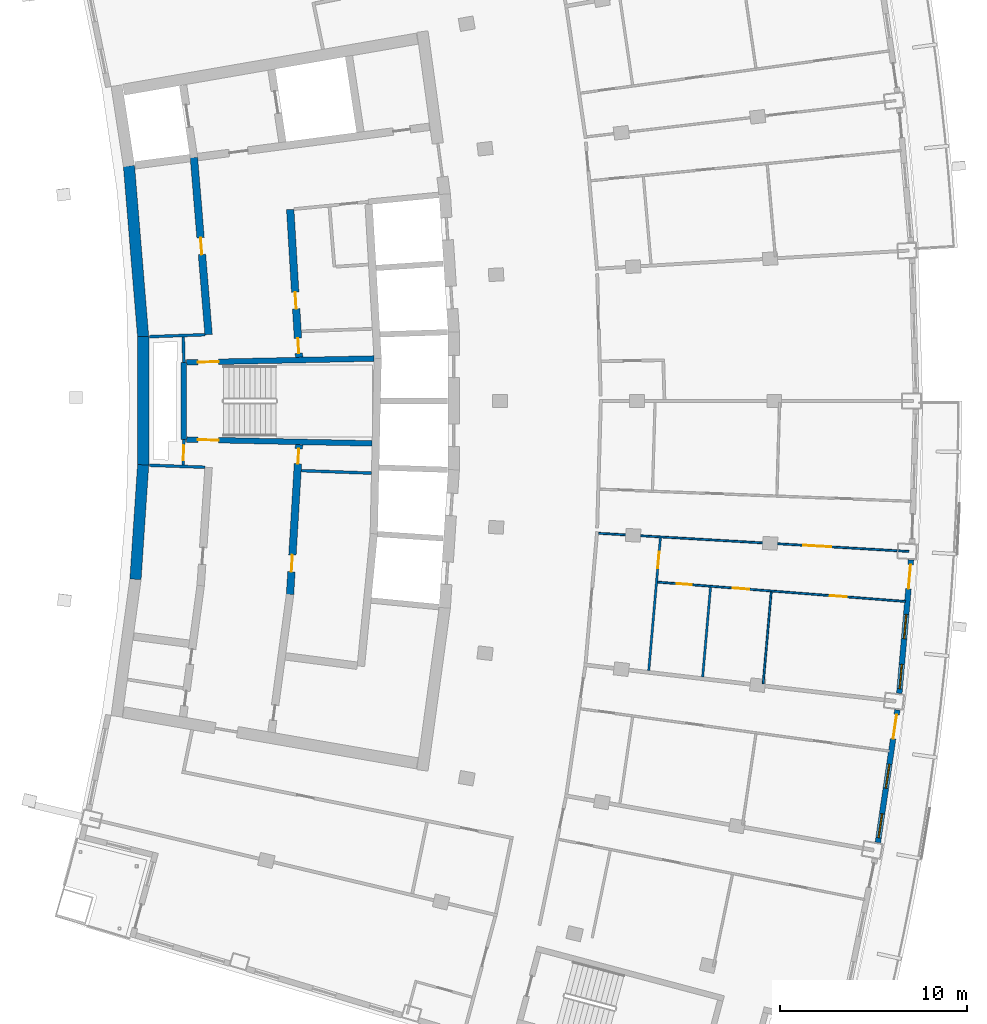
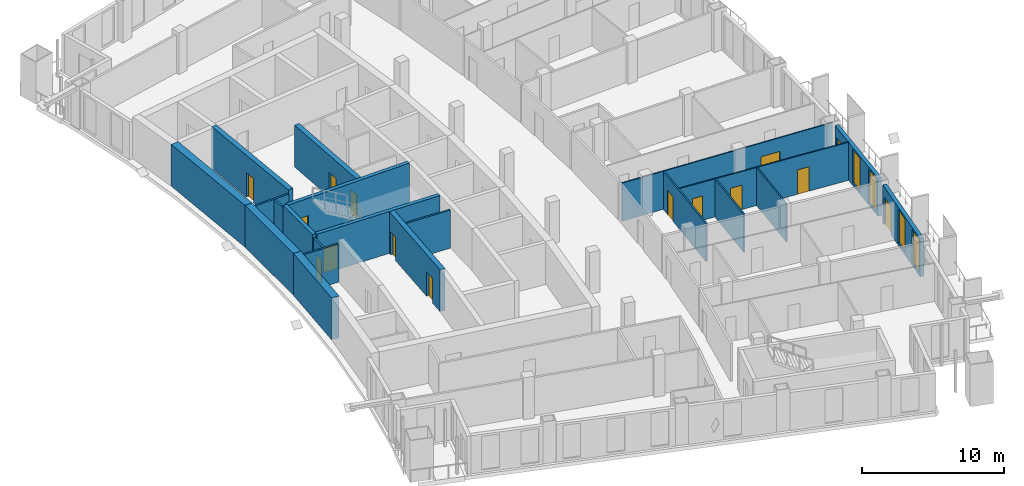
# One storey, part 11 of 17: 21 walls, 15 doors, 4 windows, 19 openings.
"""IFC4 building model written with IfcOpenShell, lengths in metres."""

from ifc_helpers import new_model, si_unit, direction, frame, frame_2d, origin, place, context, subcontext, project, spatial, rectangle, extrude, material, layer, layer_set, type_object, element, fill, save


model = new_model("IFC4")

# Units and contexts
model_context = context("Model", 3, precision=1e-05, world=origin(), true_north=direction((0.0, 1.0)))
body_context = subcontext(model_context, "Body", "Model", "MODEL_VIEW")
ifc_project = project(units=[si_unit("LENGTHUNIT", "METRE"), si_unit("AREAUNIT", "SQUARE_METRE"), si_unit("VOLUMEUNIT", "CUBIC_METRE"), si_unit("PLANEANGLEUNIT", "RADIAN"), si_unit("MASSUNIT", "GRAM", prefix="KILO")], contexts=[model_context])

# Site, building, storey
site_placement = place(None, origin())
site = spatial("IfcSite", under=ifc_project, at=site_placement, CompositionType="ELEMENT")
building_placement = place(site_placement, origin())
building = spatial("IfcBuilding", under=site, at=building_placement, Name="Alderwake Tower", CompositionType="ELEMENT")
storey_placement = place(building_placement, frame((0.0, 0.0, 218.0)))
storey = spatial("IfcBuildingStorey", under=building, at=storey_placement, Name="L54", CompositionType="ELEMENT", Elevation=218.0)

# Wall
ifc_material_1 = material(Name="Gypsum shaft wall system, rated")
ifc_layer_1 = layer(ifc_material_1, 0.14990234375)
ifc_layer_set_1 = layer_set([ifc_layer_1], Name="Core riser partition 150")
wall_type_1 = type_object("IfcWallType", Name="Core riser partition 150", PredefinedType="PARTITIONING", material=ifc_layer_set_1)
wall_1_placement = place(storey_placement, frame((25.1904296875, 57.276611328125, 0.0), z_axis=(0.0, 0.0, 1.0), x_axis=(0.99937350076, -0.035392173974, 0.0)))
element("IfcWall", 1, at=wall_1_placement, inside=storey, type_object=wall_type_1, Name="CW/L54/PR-37_+86", PredefinedType="PARTITIONING", context=body_context, shape_type="SweptSolid", body=[
    extrude(rectangle(XDim=3.752685546875, YDim=0.14990234375, at=frame_2d((1.87646484375, 0.0))), origin(), (0.0, 0.0, 1.0), 3.280029296875),
])

# Wall, opening, door
ifc_material_2 = material(Name="Gypsum shaft wall system, rated")
ifc_layer_2 = layer(ifc_material_2, 0.14990234375)
ifc_layer_set_2 = layer_set([ifc_layer_2], Name="Core room partition 150")
wall_type_2 = type_object("IfcWallType", Name="Core room partition 150", PredefinedType="PARTITIONING", material=ifc_layer_set_2)
wall_2_placement = place(storey_placement, frame((18.918701171875, 58.94384765625, 0.0), z_axis=(0.0, 0.0, 1.0), x_axis=(-0.027811602725, -0.999613182563, 0.0)))
wall_2 = element("IfcWall", 2, at=wall_2_placement, inside=storey, type_object=wall_type_2, Name="CW/L54/PA+24_-37", PredefinedType="PARTITIONING", context=body_context, shape_type="SweptSolid", body=[
    extrude(rectangle(XDim=1.369384765625, YDim=0.14990234375, at=frame_2d((0.6845703125, 0.0))), origin(), (0.0, 0.0, 1.0), 3.280029296875),
])
opening_1_placement = place(wall_2_placement, frame((0.322998046875, 0.0, 0.0)))
opening_1 = element("IfcOpeningElement", 3, at=opening_1_placement, cuts=wall_2, Name="Opening C004", PredefinedType="OPENING", context=body_context, shape_type="SweptSolid", body=[
    extrude(rectangle(XDim=0.800048828125, YDim=2.0, at=frame_2d((0.39990234375, 1.0))), frame((0.0, 0.0849609375, 0.0), z_axis=(0.0, -1.0, 0.0), x_axis=(1.0, 0.0, 0.0)), (0.0, 0.0, 1.0), 0.169921875),
])
ifc_material_3 = material(Name="Painted steel leaf, rated", Category="steel")
door_type_1 = type_object("IfcDoorType", Name="Riser access door 800", OperationType="SINGLE_SWING_LEFT", PredefinedType="DOOR", material=ifc_material_3)
door_1_placement = place(opening_1_placement, origin())
door_1 = element("IfcDoor", 4, at=door_1_placement, inside=storey, type_object=door_type_1, Name="Riser access door", OperationType="SINGLE_SWING_RIGHT", OverallHeight=2.0, OverallWidth=0.800048828125, PredefinedType="DOOR", context=body_context, shape_type="SweptSolid", body=[
    extrude(rectangle(XDim=0.800048828125, YDim=2.0, at=frame_2d((0.39990234375, 1.0))), frame((0.0, 0.02490234375, 0.0), z_axis=(0.0, -1.0, 0.0), x_axis=(1.0, 0.0, 0.0)), (0.0, 0.0, 1.0), 0.050048828125),
])
fill(opening_1, door_1)

# Walls
wall_3_placement = place(storey_placement, frame((18.918701171875, 63.05517578125, 0.0), z_axis=(0.0, 0.0, 1.0), x_axis=(-0.027791791559, 0.99961373356, 0.0)))
element("IfcWall", 5, at=wall_3_placement, inside=storey, type_object=wall_type_2, Name="CW/L54/PA+24_+22", PredefinedType="PARTITIONING", context=body_context, shape_type="SweptSolid", body=[
    extrude(rectangle(XDim=1.370361328125, YDim=0.14990234375, at=frame_2d((0.68505859375, 0.0))), origin(), (0.0, 0.0, 1.0), 3.280029296875),
])
for number, where, z_axis, x_axis, name in (
    (6, (17.0693359375, 57.56396484375, 0.0), (0.0, 0.0, 1.0), (0.999374945052, -0.03535136775, 0.0), "CW/L54/PR-37_+0"),
    (7, (17.0693359375, 64.43603515625, 0.0), (0.0, 0.0, 1.0), (0.999374945052, 0.03535136775, 0.0), "CW/L54/PR+37_+0"),
):
    element("IfcWall", number, at=place(storey_placement, frame(where, z_axis=z_axis, x_axis=x_axis)), inside=storey, type_object=wall_type_2, Name=name, PredefinedType="PARTITIONING", context=body_context, shape_type="SweptSolid", body=[
        extrude(rectangle(XDim=2.9697265625, YDim=0.14990234375, at=frame_2d((1.48486328125, 0.0))), origin(), (0.0, 0.0, 1.0), 3.280029296875),
    ])
ifc_material_4 = material(Name="Concrete C70/85", Category="concrete")
ifc_layer_3 = layer(ifc_material_4, 0.60009765625)
ifc_layer_set_3 = layer_set([ifc_layer_3], Name="Core wall outer 600 C70-85")
wall_type_3 = type_object("IfcWallType", Name="Core wall outer 600 C70-85", PredefinedType="SHEAR", material=ifc_layer_set_3)
wall_4_placement = place(storey_placement, frame((16.330078125, 51.469970703125, 0.0), z_axis=(0.0, 0.0, 1.0), x_axis=(0.066870582109, 0.997761657536, 0.0)))
element("IfcWall", 8, at=wall_4_placement, inside=storey, type_object=wall_type_3, Name="Core wall CW.036", PredefinedType="SHEAR", context=body_context, shape_type="SweptSolid", body=[
    extrude(rectangle(XDim=6.1298828125, YDim=0.60009765625, at=frame_2d((3.06494140625, 0.0))), origin(), (0.0, 0.0, 1.0), 3.60009765625),
])
wall_5_placement = place(storey_placement, frame((16.739501953125, 57.565185546875, 0.0), z_axis=(0.0, 0.0, 1.0), x_axis=(0.0, 1.0, 0.0)))
element("IfcWall", 9, at=wall_5_placement, inside=storey, type_object=wall_type_3, Name="Core wall CW.038", PredefinedType="SHEAR", context=body_context, shape_type="SweptSolid", body=[
    extrude(rectangle(XDim=6.8720703125, YDim=0.60009765625, at=frame_2d((3.43603515625, 0.0))), origin(), (0.0, 0.0, 1.0), 3.60009765625),
])
wall_6_placement = place(storey_placement, frame((16.740478515625, 64.411376953125, 0.0), z_axis=(0.0, 0.0, 1.0), x_axis=(-0.082614307012, 0.996581595393, 0.0)))
element("IfcWall", 10, at=wall_6_placement, inside=storey, type_object=wall_type_3, Name="Core wall CW.035", PredefinedType="SHEAR", context=body_context, shape_type="SweptSolid", body=[
    extrude(rectangle(XDim=9.184814453125, YDim=0.60009765625, at=frame_2d((4.59228515625, 0.0))), origin(), (0.0, 0.0, 1.0), 3.60009765625),
])

# Wall, opening, door
ifc_material_5 = material(Name="Concrete C70/85", Category="concrete")
ifc_layer_4 = layer(ifc_material_5, 0.39990234375)
ifc_layer_set_4 = layer_set([ifc_layer_4], Name="Core wall spine 400 C70-85")
wall_type_4 = type_object("IfcWallType", Name="Core wall spine 400 C70-85", PredefinedType="SHEAR", material=ifc_layer_set_4)
wall_7_placement = place(storey_placement, frame((19.452392578125, 74.014892578125, 0.0), z_axis=(0.0, 0.0, 1.0), x_axis=(0.082628585297, -0.996580411654, 0.0)))
wall_7 = element("IfcWall", 11, at=wall_7_placement, inside=storey, type_object=wall_type_4, Name="Core wall CW.031", PredefinedType="SHEAR", context=body_context, shape_type="SweptSolid", body=[
    extrude(rectangle(XDim=9.499267578125, YDim=0.39990234375, at=frame_2d((4.74951171875, 0.0))), origin(), (0.0, 0.0, 1.0), 3.60009765625),
])
opening_2_placement = place(wall_7_placement, frame((4.30322265625, 0.0, 0.0)))
opening_2 = element("IfcOpeningElement", 12, at=opening_2_placement, cuts=wall_7, Name="Opening C051", PredefinedType="OPENING", context=body_context, shape_type="SweptSolid", body=[
    extrude(rectangle(XDim=0.89990234375, YDim=2.10009765625, at=frame_2d((0.449951171875, 1.050048828125))), frame((0.0, 0.2099609375, 0.0), z_axis=(0.0, -1.0, 0.0), x_axis=(1.0, 0.0, 0.0)), (0.0, 0.0, 1.0), 0.419921875),
])
ifc_material_6 = material(Name="Painted steel leaf", Category="steel")
door_type_2 = type_object("IfcDoorType", Name="Core room door 900", OperationType="SINGLE_SWING_LEFT", PredefinedType="DOOR", material=ifc_material_6)
door_2_placement = place(opening_2_placement, origin())
door_2 = element("IfcDoor", 13, at=door_2_placement, inside=storey, type_object=door_type_2, Name="Room door", OperationType="SINGLE_SWING_RIGHT", OverallHeight=2.10009765625, OverallWidth=0.89990234375, PredefinedType="DOOR", context=body_context, shape_type="SweptSolid", body=[
    extrude(rectangle(XDim=0.89990234375, YDim=2.10009765625, at=frame_2d((0.449951171875, 1.050048828125))), frame((0.0, 0.02490234375, 0.0), z_axis=(0.0, -1.0, 0.0), x_axis=(1.0, 0.0, 0.0)), (0.0, 0.0, 1.0), 0.050048828125),
])
fill(opening_2, door_2)

# Wall, openings, doors
wall_8_placement = place(storey_placement, frame((24.590087890625, 50.65673828125, 0.0), z_axis=(0.0, 0.0, 1.0), x_axis=(0.060318641452, 0.998179173041, 0.0)))
wall_8 = element("IfcWall", 14, at=wall_8_placement, inside=storey, type_object=wall_type_4, Name="Core wall CW.046", PredefinedType="SHEAR", context=body_context, shape_type="SweptSolid", body=[
    extrude(rectangle(XDim=8.022216796875, YDim=0.39990234375, at=frame_2d((4.01123046875, 0.0))), origin(), (0.0, 0.0, 1.0), 3.60009765625),
])
opening_3_placement = place(wall_8_placement, frame((7.006103515625, 0.0, 0.0)))
opening_3 = element("IfcOpeningElement", 15, at=opening_3_placement, cuts=wall_8, Name="Opening C006", PredefinedType="OPENING", context=body_context, shape_type="SweptSolid", body=[
    extrude(rectangle(XDim=0.800048828125, YDim=2.0, at=frame_2d((0.39990234375, 1.0))), frame((0.0, 0.2099609375, 0.0), z_axis=(0.0, -1.0, 0.0), x_axis=(1.0, 0.0, 0.0)), (0.0, 0.0, 1.0), 0.419921875),
])
opening_4_placement = place(wall_8_placement, frame((1.21533203125, 0.0, 0.0)))
opening_4 = element("IfcOpeningElement", 16, at=opening_4_placement, cuts=wall_8, Name="Opening C043", PredefinedType="OPENING", context=body_context, shape_type="SweptSolid", body=[
    extrude(rectangle(XDim=0.89990234375, YDim=2.10009765625, at=frame_2d((0.449951171875, 1.050048828125))), frame((0.0, 0.2099609375, 0.0), z_axis=(0.0, -1.0, 0.0), x_axis=(1.0, 0.0, 0.0)), (0.0, 0.0, 1.0), 0.419921875),
])
door_3_placement = place(opening_4_placement, origin())
door_3 = element("IfcDoor", 17, at=door_3_placement, inside=storey, type_object=door_type_2, Name="Room door", OperationType="SINGLE_SWING_LEFT", OverallHeight=2.10009765625, OverallWidth=0.89990234375, PredefinedType="DOOR", context=body_context, shape_type="SweptSolid", body=[
    extrude(rectangle(XDim=0.89990234375, YDim=2.10009765625, at=frame_2d((0.449951171875, 1.050048828125))), frame((0.0, 0.02490234375, 0.0), z_axis=(0.0, -1.0, 0.0), x_axis=(1.0, 0.0, 0.0)), (0.0, 0.0, 1.0), 0.050048828125),
])
fill(opening_4, door_3)
door_4_placement = place(opening_3_placement, origin())
door_4 = element("IfcDoor", 18, at=door_4_placement, inside=storey, type_object=door_type_1, Name="Riser access door", OperationType="SINGLE_SWING_RIGHT", OverallHeight=2.0, OverallWidth=0.800048828125, PredefinedType="DOOR", context=body_context, shape_type="SweptSolid", body=[
    extrude(rectangle(XDim=0.800048828125, YDim=2.0, at=frame_2d((0.39990234375, 1.0))), frame((0.0, 0.02490234375, 0.0), z_axis=(0.0, -1.0, 0.0), x_axis=(1.0, 0.0, 0.0)), (0.0, 0.0, 1.0), 0.050048828125),
])
fill(opening_3, door_4)

wall_9_placement = place(storey_placement, frame((25.073974609375, 63.335693359375, 0.0), z_axis=(0.0, 0.0, 1.0), x_axis=(-0.059848641072, 0.998207463487, 0.0)))
wall_9 = element("IfcWall", 19, at=wall_9_placement, inside=storey, type_object=wall_type_4, Name="Core wall CW.045", PredefinedType="SHEAR", context=body_context, shape_type="SweptSolid", body=[
    extrude(rectangle(XDim=7.913818359375, YDim=0.39990234375, at=frame_2d((3.95703125, 0.0))), origin(), (0.0, 0.0, 1.0), 3.60009765625),
])
opening_5_placement = place(wall_9_placement, frame((0.216064453125, 0.0, 0.0)))
opening_5 = element("IfcOpeningElement", 20, at=opening_5_placement, cuts=wall_9, Name="Opening C005", PredefinedType="OPENING", context=body_context, shape_type="SweptSolid", body=[
    extrude(rectangle(XDim=0.800048828125, YDim=2.0, at=frame_2d((0.39990234375, 1.0))), frame((0.0, 0.2099609375, 0.0), z_axis=(0.0, -1.0, 0.0), x_axis=(1.0, 0.0, 0.0)), (0.0, 0.0, 1.0), 0.419921875),
])
opening_6_placement = place(wall_9_placement, frame((2.590087890625, 0.0, 0.0)))
opening_6 = element("IfcOpeningElement", 21, at=opening_6_placement, cuts=wall_9, Name="Opening C058", PredefinedType="OPENING", context=body_context, shape_type="SweptSolid", body=[
    extrude(rectangle(XDim=0.89990234375, YDim=2.10009765625, at=frame_2d((0.449951171875, 1.050048828125))), frame((0.0, 0.2099609375, 0.0), z_axis=(0.0, -1.0, 0.0), x_axis=(1.0, 0.0, 0.0)), (0.0, 0.0, 1.0), 0.419921875),
])
door_5_placement = place(opening_6_placement, origin())
door_5 = element("IfcDoor", 22, at=door_5_placement, inside=storey, type_object=door_type_2, Name="Room door", OperationType="SINGLE_SWING_LEFT", OverallHeight=2.10009765625, OverallWidth=0.89990234375, PredefinedType="DOOR", context=body_context, shape_type="SweptSolid", body=[
    extrude(rectangle(XDim=0.89990234375, YDim=2.10009765625, at=frame_2d((0.449951171875, 1.050048828125))), frame((0.0, 0.02490234375, 0.0), z_axis=(0.0, -1.0, 0.0), x_axis=(1.0, 0.0, 0.0)), (0.0, 0.0, 1.0), 0.050048828125),
])
fill(opening_6, door_5)
door_6_placement = place(opening_5_placement, origin())
door_6 = element("IfcDoor", 23, at=door_6_placement, inside=storey, type_object=door_type_1, Name="Riser access door", OperationType="SINGLE_SWING_LEFT", OverallHeight=2.0, OverallWidth=0.800048828125, PredefinedType="DOOR", context=body_context, shape_type="SweptSolid", body=[
    extrude(rectangle(XDim=0.800048828125, YDim=2.0, at=frame_2d((0.39990234375, 1.0))), frame((0.0, 0.02490234375, 0.0), z_axis=(0.0, -1.0, 0.0), x_axis=(1.0, 0.0, 0.0)), (0.0, 0.0, 1.0), 0.050048828125),
])
fill(opening_5, door_6)

# Wall
ifc_material_7 = material(Name="Concrete C70/85", Category="concrete")
ifc_layer_5 = layer(ifc_material_7, 0.300048828125)
ifc_layer_set_5 = layer_set([ifc_layer_5], Name="Core wall stair enclosure 300 C70-85")
wall_type_5 = type_object("IfcWallType", Name="Core wall stair enclosure 300 C70-85", PredefinedType="SHEAR", material=ifc_layer_set_5)
wall_10_placement = place(storey_placement, frame((18.918701171875, 58.940673828125, 0.0), z_axis=(0.0, 0.0, 1.0), x_axis=(0.0, 1.0, 0.0)))
element("IfcWall", 24, at=wall_10_placement, inside=storey, type_object=wall_type_5, Name="Core wall CW.024", PredefinedType="SHEAR", context=body_context, shape_type="SweptSolid", body=[
    extrude(rectangle(XDim=4.11962890625, YDim=0.300048828125, at=frame_2d((2.059814453125, 0.0))), origin(), (0.0, 0.0, 1.0), 3.60009765625),
])

# Wall, opening, door
wall_11_placement = place(storey_placement, frame((28.975830078125, 58.733154296875, 0.0), z_axis=(0.0, 0.0, 1.0), x_axis=(-0.999783782948, 0.020793925895, 0.0)))
wall_11 = element("IfcWall", 25, at=wall_11_placement, inside=storey, type_object=wall_type_5, Name="Core wall CW.074", PredefinedType="SHEAR", context=body_context, shape_type="SweptSolid", body=[
    extrude(rectangle(XDim=9.909423828125, YDim=0.300048828125, at=frame_2d((4.95458984375, 0.0))), origin(), (0.0, 0.0, 1.0), 3.60009765625),
])
opening_7_placement = place(wall_11_placement, frame((8.20947265625, 0.0, 0.0)))
opening_7 = element("IfcOpeningElement", 26, at=opening_7_placement, cuts=wall_11, Name="Opening C063", PredefinedType="OPENING", context=body_context, shape_type="SweptSolid", body=[
    extrude(rectangle(XDim=1.10009765625, YDim=2.10009765625, at=frame_2d((0.550048828125, 1.050048828125))), frame((0.0, 0.159912109375, 0.0), z_axis=(0.0, -1.0, 0.0), x_axis=(1.0, 0.0, 0.0)), (0.0, 0.0, 1.0), 0.320068359375),
])
ifc_material_8 = material(Name="Steel-framed fire door leaf", Category="steel")
door_type_3 = type_object("IfcDoorType", Name="Core stair door 1100 fire-rated", OperationType="SINGLE_SWING_LEFT", PredefinedType="DOOR", material=ifc_material_8)
door_7_placement = place(opening_7_placement, origin())
door_7 = element("IfcDoor", 27, at=door_7_placement, inside=storey, type_object=door_type_3, Name="Stair door", OperationType="SINGLE_SWING_LEFT", OverallHeight=2.10009765625, OverallWidth=1.10009765625, PredefinedType="DOOR", context=body_context, shape_type="SweptSolid", body=[
    extrude(rectangle(XDim=1.10009765625, YDim=2.10009765625, at=frame_2d((0.550048828125, 1.050048828125))), frame((0.0, 0.02490234375, 0.0), z_axis=(0.0, -1.0, 0.0), x_axis=(1.0, 0.0, 0.0)), (0.0, 0.0, 1.0), 0.050048828125),
])
fill(opening_7, door_7)

wall_12_placement = place(storey_placement, frame((19.068603515625, 63.060791015625, 0.0), z_axis=(0.0, 0.0, 1.0), x_axis=(0.999783553773, 0.02080494185, 0.0)))
wall_12 = element("IfcWall", 28, at=wall_12_placement, inside=storey, type_object=wall_type_5, Name="Core wall CW.057", PredefinedType="SHEAR", context=body_context, shape_type="SweptSolid", body=[
    extrude(rectangle(XDim=10.009765625, YDim=0.300048828125, at=frame_2d((5.0048828125, 0.0))), origin(), (0.0, 0.0, 1.0), 3.60009765625),
])
opening_8_placement = place(wall_12_placement, frame((0.60009765625, 0.0, 0.0)))
opening_8 = element("IfcOpeningElement", 29, at=opening_8_placement, cuts=wall_12, Name="Opening C064", PredefinedType="OPENING", context=body_context, shape_type="SweptSolid", body=[
    extrude(rectangle(XDim=1.10009765625, YDim=2.10009765625, at=frame_2d((0.550048828125, 1.050048828125))), frame((0.0, 0.159912109375, 0.0), z_axis=(0.0, -1.0, 0.0), x_axis=(1.0, 0.0, 0.0)), (0.0, 0.0, 1.0), 0.320068359375),
])
door_8_placement = place(opening_8_placement, origin())
door_8 = element("IfcDoor", 30, at=door_8_placement, inside=storey, type_object=door_type_3, Name="Stair door", OperationType="SINGLE_SWING_RIGHT", OverallHeight=2.10009765625, OverallWidth=1.10009765625, PredefinedType="DOOR", context=body_context, shape_type="SweptSolid", body=[
    extrude(rectangle(XDim=1.10009765625, YDim=2.10009765625, at=frame_2d((0.550048828125, 1.050048828125))), frame((0.0, 0.02490234375, 0.0), z_axis=(0.0, -1.0, 0.0), x_axis=(1.0, 0.0, 0.0)), (0.0, 0.0, 1.0), 0.050048828125),
])
fill(opening_8, door_8)

# Wall, openings, door, windows
ifc_material_9 = material(Name="Precast concrete C50/60 spandrel panel", Category="concrete")
ifc_layer_6 = layer(ifc_material_9, 0.300048828125)
ifc_layer_set_6 = layer_set([ifc_layer_6], Name="External wall EW1 Precast concrete C50/60 spandrel")
wall_type_6 = type_object("IfcWallType", Name="External wall EW1 Precast concrete C50/60 spandrel", PredefinedType="SOLIDWALL", material=ifc_layer_set_6)
wall_13_placement = place(storey_placement, frame((56.006591796875, 37.406982421875, 0.0), z_axis=(0.0, 0.0, 1.0), x_axis=(0.14528382607, 0.989390019094, 0.0)))
wall_13 = element("IfcWall", 31, at=wall_13_placement, inside=storey, type_object=wall_type_6, Name="External wall 13", PredefinedType="SOLIDWALL", context=body_context, shape_type="SweptSolid", body=[
    extrude(rectangle(XDim=7.156982421875, YDim=0.300048828125, at=frame_2d((3.57861328125, 0.0))), origin(), (0.0, 0.0, 1.0), 3.280029296875),
])
opening_9_placement = place(wall_13_placement, frame((0.24951171875, 0.0, 0.199951171875)))
opening_9 = element("IfcOpeningElement", 32, at=opening_9_placement, cuts=wall_13, Name="Opening W1", PredefinedType="OPENING", context=body_context, shape_type="SweptSolid", body=[
    extrude(rectangle(XDim=1.300048828125, YDim=2.89990234375, at=frame_2d((0.64990234375, 1.449951171875))), frame((0.0, 0.159912109375, 0.0), z_axis=(0.0, -1.0, 0.0), x_axis=(1.0, 0.0, 0.0)), (0.0, 0.0, 1.0), 0.320068359375),
])
opening_10_placement = place(wall_13_placement, frame((2.928466796875, 0.0, 0.199951171875)))
opening_10 = element("IfcOpeningElement", 33, at=opening_10_placement, cuts=wall_13, Name="Opening W1", PredefinedType="OPENING", context=body_context, shape_type="SweptSolid", body=[
    extrude(rectangle(XDim=1.300048828125, YDim=2.89990234375, at=frame_2d((0.64990234375, 1.449951171875))), frame((0.0, 0.159912109375, 0.0), z_axis=(0.0, -1.0, 0.0), x_axis=(1.0, 0.0, 0.0)), (0.0, 0.0, 1.0), 0.320068359375),
])
opening_11_placement = place(wall_13_placement, frame((5.607666015625, 0.0, 0.0)))
opening_11 = element("IfcOpeningElement", 34, at=opening_11_placement, cuts=wall_13, Name="Opening D03", PredefinedType="OPENING", context=body_context, shape_type="SweptSolid", body=[
    extrude(rectangle(XDim=1.300048828125, YDim=2.39990234375, at=frame_2d((0.64990234375, 1.199951171875))), frame((0.0, 0.159912109375, 0.0), z_axis=(0.0, -1.0, 0.0), x_axis=(1.0, 0.0, 0.0)), (0.0, 0.0, 1.0), 0.320068359375),
])
ifc_material_10 = material(Name="Bronze tinted glass in aluminium frame", Category="aluminium")
door_type_4 = type_object("IfcDoorType", Name="Balcony door BD sliding", OperationType="SLIDING_TO_LEFT", PredefinedType="DOOR", material=ifc_material_10)
door_9_placement = place(opening_11_placement, origin())
door_9 = element("IfcDoor", 35, at=door_9_placement, inside=storey, type_object=door_type_4, Name="Door D03", OperationType="SLIDING_TO_LEFT", OverallHeight=2.39990234375, OverallWidth=1.300048828125, PredefinedType="DOOR", context=body_context, shape_type="SweptSolid", body=[
    extrude(rectangle(XDim=1.300048828125, YDim=2.39990234375, at=frame_2d((0.64990234375, 1.199951171875))), frame((0.0, 0.02490234375, 0.0), z_axis=(0.0, -1.0, 0.0), x_axis=(1.0, 0.0, 0.0)), (0.0, 0.0, 1.0), 0.050048828125),
])
fill(opening_11, door_9)
ifc_material_11 = material(Name="Bronze tinted glass in aluminium frame", Category="aluminium")
window_type = type_object("IfcWindowType", Name="Window W1 tall fixed and vent", PartitioningType="DOUBLE_PANEL_VERTICAL", PredefinedType="WINDOW", material=ifc_material_11)
window_1_placement = place(opening_9_placement, origin())
window_1 = element("IfcWindow", 36, at=window_1_placement, inside=storey, type_object=window_type, Name="Window W1 tall fixed and vent", OverallHeight=2.89990234375, OverallWidth=1.300048828125, PartitioningType="DOUBLE_PANEL_VERTICAL", PredefinedType="WINDOW", context=body_context, shape_type="SweptSolid", body=[
    extrude(rectangle(XDim=1.300048828125, YDim=2.89990234375, at=frame_2d((0.64990234375, 1.449951171875))), frame((0.0, 0.030029296875, 0.0), z_axis=(0.0, -1.0, 0.0), x_axis=(1.0, 0.0, 0.0)), (0.0, 0.0, 1.0), 0.06005859375),
])
fill(opening_9, window_1)
window_2_placement = place(opening_10_placement, origin())
window_2 = element("IfcWindow", 37, at=window_2_placement, inside=storey, type_object=window_type, Name="Window W1 tall fixed and vent", OverallHeight=2.89990234375, OverallWidth=1.300048828125, PartitioningType="DOUBLE_PANEL_VERTICAL", PredefinedType="WINDOW", context=body_context, shape_type="SweptSolid", body=[
    extrude(rectangle(XDim=1.300048828125, YDim=2.89990234375, at=frame_2d((0.64990234375, 1.449951171875))), frame((0.0, 0.030029296875, 0.0), z_axis=(0.0, -1.0, 0.0), x_axis=(1.0, 0.0, 0.0)), (0.0, 0.0, 1.0), 0.06005859375),
])
fill(opening_10, window_2)

wall_14_placement = place(storey_placement, frame((57.150634765625, 45.37646484375, 0.0), z_axis=(0.0, 0.0, 1.0), x_axis=(0.087398001478, 0.996173473516, 0.0)))
wall_14 = element("IfcWall", 38, at=wall_14_placement, inside=storey, type_object=wall_type_6, Name="External wall 14", PredefinedType="SOLIDWALL", context=body_context, shape_type="SweptSolid", body=[
    extrude(rectangle(XDim=7.15673828125, YDim=0.300048828125, at=frame_2d((3.578369140625, 0.0))), origin(), (0.0, 0.0, 1.0), 3.280029296875),
])
opening_12_placement = place(wall_14_placement, frame((0.24951171875, 0.0, 0.199951171875)))
opening_12 = element("IfcOpeningElement", 39, at=opening_12_placement, cuts=wall_14, Name="Opening W1", PredefinedType="OPENING", context=body_context, shape_type="SweptSolid", body=[
    extrude(rectangle(XDim=1.300048828125, YDim=2.89990234375, at=frame_2d((0.64990234375, 1.449951171875))), frame((0.0, 0.159912109375, 0.0), z_axis=(0.0, -1.0, 0.0), x_axis=(1.0, 0.0, 0.0)), (0.0, 0.0, 1.0), 0.320068359375),
])
opening_13_placement = place(wall_14_placement, frame((2.928466796875, 0.0, 0.199951171875)))
opening_13 = element("IfcOpeningElement", 40, at=opening_13_placement, cuts=wall_14, Name="Opening W1", PredefinedType="OPENING", context=body_context, shape_type="SweptSolid", body=[
    extrude(rectangle(XDim=1.300048828125, YDim=2.89990234375, at=frame_2d((0.64990234375, 1.449951171875))), frame((0.0, 0.159912109375, 0.0), z_axis=(0.0, -1.0, 0.0), x_axis=(1.0, 0.0, 0.0)), (0.0, 0.0, 1.0), 0.320068359375),
])
opening_14_placement = place(wall_14_placement, frame((5.607421875, 0.0, 0.0)))
opening_14 = element("IfcOpeningElement", 41, at=opening_14_placement, cuts=wall_14, Name="Opening D04", PredefinedType="OPENING", context=body_context, shape_type="SweptSolid", body=[
    extrude(rectangle(XDim=1.300048828125, YDim=2.39990234375, at=frame_2d((0.64990234375, 1.199951171875))), frame((0.0, 0.159912109375, 0.0), z_axis=(0.0, -1.0, 0.0), x_axis=(1.0, 0.0, 0.0)), (0.0, 0.0, 1.0), 0.320068359375),
])
door_10_placement = place(opening_14_placement, origin())
door_10 = element("IfcDoor", 42, at=door_10_placement, inside=storey, type_object=door_type_4, Name="Door D04", OperationType="SLIDING_TO_LEFT", OverallHeight=2.39990234375, OverallWidth=1.300048828125, PredefinedType="DOOR", context=body_context, shape_type="SweptSolid", body=[
    extrude(rectangle(XDim=1.300048828125, YDim=2.39990234375, at=frame_2d((0.64990234375, 1.199951171875))), frame((0.0, 0.02490234375, 0.0), z_axis=(0.0, -1.0, 0.0), x_axis=(1.0, 0.0, 0.0)), (0.0, 0.0, 1.0), 0.050048828125),
])
fill(opening_14, door_10)
window_3_placement = place(opening_12_placement, origin())
window_3 = element("IfcWindow", 43, at=window_3_placement, inside=storey, type_object=window_type, Name="Window W1 tall fixed and vent", OverallHeight=2.89990234375, OverallWidth=1.300048828125, PartitioningType="DOUBLE_PANEL_VERTICAL", PredefinedType="WINDOW", context=body_context, shape_type="SweptSolid", body=[
    extrude(rectangle(XDim=1.300048828125, YDim=2.89990234375, at=frame_2d((0.64990234375, 1.449951171875))), frame((0.0, 0.030029296875, 0.0), z_axis=(0.0, -1.0, 0.0), x_axis=(1.0, 0.0, 0.0)), (0.0, 0.0, 1.0), 0.06005859375),
])
fill(opening_12, window_3)
window_4_placement = place(opening_13_placement, origin())
window_4 = element("IfcWindow", 44, at=window_4_placement, inside=storey, type_object=window_type, Name="Window W1 tall fixed and vent", OverallHeight=2.89990234375, OverallWidth=1.300048828125, PartitioningType="DOUBLE_PANEL_VERTICAL", PredefinedType="WINDOW", context=body_context, shape_type="SweptSolid", body=[
    extrude(rectangle(XDim=1.300048828125, YDim=2.89990234375, at=frame_2d((0.64990234375, 1.449951171875))), frame((0.0, 0.030029296875, 0.0), z_axis=(0.0, -1.0, 0.0), x_axis=(1.0, 0.0, 0.0)), (0.0, 0.0, 1.0), 0.06005859375),
])
fill(opening_13, window_4)

# Wall, opening, door
ifc_material_12 = material(Name="Gypsum board on metal studs")
ifc_layer_7 = layer(ifc_material_12, 0.10009765625)
ifc_layer_set_7 = layer_set([ifc_layer_7], Name="Unit partition 100")
wall_type_7 = type_object("IfcWallType", Name="Unit partition 100", PredefinedType="PARTITIONING", material=ifc_layer_set_7)
wall_15_placement = place(storey_placement, frame((41.074951171875, 53.92919921875, 0.0), z_axis=(0.0, 0.0, 1.0), x_axis=(0.998294525583, -0.058378422306, 0.0)))
wall_15 = element("IfcWall", 45, at=wall_15_placement, inside=storey, type_object=wall_type_7, Name="WL/L54/W45", PredefinedType="PARTITIONING", context=body_context, shape_type="SweptSolid", body=[
    extrude(rectangle(XDim=16.619384765625, YDim=0.10009765625, at=frame_2d((8.3095703125, 0.0))), origin(), (0.0, 0.0, 1.0), 3.280029296875),
])
opening_15_placement = place(wall_15_placement, frame((10.95263671875, 0.0, 0.0)))
opening_15 = element("IfcOpeningElement", 46, at=opening_15_placement, cuts=wall_15, Name="Opening R15-U05.9", PredefinedType="OPENING", context=body_context, shape_type="SweptSolid", body=[
    extrude(rectangle(XDim=1.5, YDim=2.10009765625, at=frame_2d((0.75, 1.050048828125))), frame((0.0, 0.06005859375, 0.0), z_axis=(0.0, -1.0, 0.0), x_axis=(1.0, 0.0, 0.0)), (0.0, 0.0, 1.0), 0.1201171875),
])
ifc_material_13 = material(Name="Painted timber leaves", Category="wood")
door_type_5 = type_object("IfcDoorType", Name="Double leaf door 1500", OperationType="DOUBLE_DOOR_SINGLE_SWING", PredefinedType="DOOR", material=ifc_material_13)
door_11_placement = place(opening_15_placement, origin())
door_11 = element("IfcDoor", 47, at=door_11_placement, inside=storey, type_object=door_type_5, Name="DR/L54/U05.9", OperationType="DOUBLE_DOOR_SINGLE_SWING", OverallHeight=2.10009765625, OverallWidth=1.5, PredefinedType="DOOR", context=body_context, shape_type="SweptSolid", body=[
    extrude(rectangle(XDim=1.5, YDim=2.10009765625, at=frame_2d((0.75, 1.050048828125))), frame((0.0, 0.02490234375, 0.0), z_axis=(0.0, -1.0, 0.0), x_axis=(1.0, 0.0, 0.0)), (0.0, 0.0, 1.0), 0.050048828125),
])
fill(opening_15, door_11)

# Wall, openings, doors
wall_16_placement = place(storey_placement, frame((57.47998046875, 50.285888671875, 0.0), z_axis=(0.0, 0.0, 1.0), x_axis=(-0.99696989553, 0.077788350066, 0.0)))
wall_16 = element("IfcWall", 48, at=wall_16_placement, inside=storey, type_object=wall_type_7, Name="WL/L54/W47", PredefinedType="PARTITIONING", context=body_context, shape_type="SweptSolid", body=[
    extrude(rectangle(XDim=13.285400390625, YDim=0.10009765625, at=frame_2d((6.642578125, 0.0))), origin(), (0.0, 0.0, 1.0), 3.280029296875),
])
opening_16_placement = place(wall_16_placement, frame((8.368408203125, 0.0, 0.0)))
opening_16 = element("IfcOpeningElement", 49, at=opening_16_placement, cuts=wall_16, Name="Opening R15-U05.1", PredefinedType="OPENING", context=body_context, shape_type="SweptSolid", body=[
    extrude(rectangle(XDim=0.89990234375, YDim=2.10009765625, at=frame_2d((0.449951171875, 1.050048828125))), frame((0.0, 0.06005859375, 0.0), z_axis=(0.0, -1.0, 0.0), x_axis=(1.0, 0.0, 0.0)), (0.0, 0.0, 1.0), 0.1201171875),
])
opening_17_placement = place(wall_16_placement, frame((11.465087890625, 0.0, 0.0)))
opening_17 = element("IfcOpeningElement", 50, at=opening_17_placement, cuts=wall_16, Name="Opening R15-U05.4", PredefinedType="OPENING", context=body_context, shape_type="SweptSolid", body=[
    extrude(rectangle(XDim=0.800048828125, YDim=2.10009765625, at=frame_2d((0.39990234375, 1.050048828125))), frame((0.0, 0.06005859375, 0.0), z_axis=(0.0, -1.0, 0.0), x_axis=(1.0, 0.0, 0.0)), (0.0, 0.0, 1.0), 0.1201171875),
])
opening_18_placement = place(wall_16_placement, frame((3.14599609375, 0.0, 0.0)))
opening_18 = element("IfcOpeningElement", 51, at=opening_18_placement, cuts=wall_16, Name="Opening R15-U05.5", PredefinedType="OPENING", context=body_context, shape_type="SweptSolid", body=[
    extrude(rectangle(XDim=0.89990234375, YDim=2.10009765625, at=frame_2d((0.449951171875, 1.050048828125))), frame((0.0, 0.06005859375, 0.0), z_axis=(0.0, -1.0, 0.0), x_axis=(1.0, 0.0, 0.0)), (0.0, 0.0, 1.0), 0.1201171875),
])
ifc_material_14 = material(Name="Painted timber leaf", Category="wood")
door_type_6 = type_object("IfcDoorType", Name="Bathroom door 800", OperationType="SINGLE_SWING_LEFT", PredefinedType="DOOR", material=ifc_material_14)
door_12_placement = place(opening_17_placement, origin())
door_12 = element("IfcDoor", 52, at=door_12_placement, inside=storey, type_object=door_type_6, Name="DR/L54/U05.4", OperationType="SINGLE_SWING_LEFT", OverallHeight=2.10009765625, OverallWidth=0.800048828125, PredefinedType="DOOR", context=body_context, shape_type="SweptSolid", body=[
    extrude(rectangle(XDim=0.800048828125, YDim=2.10009765625, at=frame_2d((0.39990234375, 1.050048828125))), frame((0.0, 0.02490234375, 0.0), z_axis=(0.0, -1.0, 0.0), x_axis=(1.0, 0.0, 0.0)), (0.0, 0.0, 1.0), 0.050048828125),
])
fill(opening_17, door_12)
ifc_material_15 = material(Name="Painted timber leaf", Category="wood")
door_type_7 = type_object("IfcDoorType", Name="Room door 900", OperationType="SINGLE_SWING_LEFT", PredefinedType="DOOR", material=ifc_material_15)
door_13_placement = place(opening_16_placement, origin())
door_13 = element("IfcDoor", 53, at=door_13_placement, inside=storey, type_object=door_type_7, Name="DR/L54/U05.1", OperationType="SINGLE_SWING_LEFT", OverallHeight=2.10009765625, OverallWidth=0.89990234375, PredefinedType="DOOR", context=body_context, shape_type="SweptSolid", body=[
    extrude(rectangle(XDim=0.89990234375, YDim=2.10009765625, at=frame_2d((0.449951171875, 1.050048828125))), frame((0.0, 0.02490234375, 0.0), z_axis=(0.0, -1.0, 0.0), x_axis=(1.0, 0.0, 0.0)), (0.0, 0.0, 1.0), 0.050048828125),
])
fill(opening_16, door_13)
door_14_placement = place(opening_18_placement, origin())
door_14 = element("IfcDoor", 54, at=door_14_placement, inside=storey, type_object=door_type_7, Name="DR/L54/U05.5", OperationType="SINGLE_SWING_LEFT", OverallHeight=2.10009765625, OverallWidth=0.89990234375, PredefinedType="DOOR", context=body_context, shape_type="SweptSolid", body=[
    extrude(rectangle(XDim=0.89990234375, YDim=2.10009765625, at=frame_2d((0.449951171875, 1.050048828125))), frame((0.0, 0.02490234375, 0.0), z_axis=(0.0, -1.0, 0.0), x_axis=(1.0, 0.0, 0.0)), (0.0, 0.0, 1.0), 0.050048828125),
])
fill(opening_18, door_14)

# Wall
wall_17_placement = place(storey_placement, frame((49.874755859375, 45.879638671875, 0.0), z_axis=(0.0, 0.0, 1.0), x_axis=(0.087344977102, 0.99617812412, 0.0)))
element("IfcWall", 55, at=wall_17_placement, inside=storey, type_object=wall_type_7, Name="WL/L54/W52", PredefinedType="PARTITIONING", context=body_context, shape_type="SweptSolid", body=[
    extrude(rectangle(XDim=4.933349609375, YDim=0.10009765625, at=frame_2d((2.466796875, 0.0))), origin(), (0.0, 0.0, 1.0), 3.280029296875),
])

# Wall, opening, door
ifc_material_16 = material(Name="Moisture resistant gypsum board on metal studs")
ifc_layer_8 = layer(ifc_material_16, 0.1201171875)
ifc_layer_set_8 = layer_set([ifc_layer_8], Name="Wet room partition 120")
wall_type_8 = type_object("IfcWallType", Name="Wet room partition 120", PredefinedType="PARTITIONING", material=ifc_layer_set_8)
wall_18_placement = place(storey_placement, frame((44.383544921875, 53.686279296875, 0.0), z_axis=(0.0, 0.0, 1.0), x_axis=(-0.087510360813, -0.996163609429, 0.0)))
wall_18 = element("IfcWall", 56, at=wall_18_placement, inside=storey, type_object=wall_type_8, Name="WL/L54/W36", PredefinedType="PARTITIONING", context=body_context, shape_type="SweptSolid", body=[
    extrude(rectangle(XDim=7.116943359375, YDim=0.1201171875, at=frame_2d((3.55859375, 0.0))), origin(), (0.0, 0.0, 1.0), 3.280029296875),
])
opening_19_placement = place(wall_18_placement, frame((0.736328125, 0.0, 0.0)))
opening_19 = element("IfcOpeningElement", 57, at=opening_19_placement, cuts=wall_18, Name="Opening R15-U05.3", PredefinedType="OPENING", context=body_context, shape_type="SweptSolid", body=[
    extrude(rectangle(XDim=0.89990234375, YDim=2.10009765625, at=frame_2d((0.449951171875, 1.050048828125))), frame((0.0, 0.070068359375, 0.0), z_axis=(0.0, -1.0, 0.0), x_axis=(1.0, 0.0, 0.0)), (0.0, 0.0, 1.0), 0.14013671875),
])
door_15_placement = place(opening_19_placement, origin())
door_15 = element("IfcDoor", 58, at=door_15_placement, inside=storey, type_object=door_type_7, Name="DR/L54/U05.3", OperationType="SINGLE_SWING_LEFT", OverallHeight=2.10009765625, OverallWidth=0.89990234375, PredefinedType="DOOR", context=body_context, shape_type="SweptSolid", body=[
    extrude(rectangle(XDim=0.89990234375, YDim=2.10009765625, at=frame_2d((0.449951171875, 1.050048828125))), frame((0.0, 0.02490234375, 0.0), z_axis=(0.0, -1.0, 0.0), x_axis=(1.0, 0.0, 0.0)), (0.0, 0.0, 1.0), 0.050048828125),
])
fill(opening_19, door_15)

# Wall
wall_19_placement = place(storey_placement, frame((46.640869140625, 46.2578125, 0.0), z_axis=(0.0, 0.0, 1.0), x_axis=(0.087714452347, 0.996145659454, 0.0)))
element("IfcWall", 59, at=wall_19_placement, inside=storey, type_object=wall_type_8, Name="WL/L54/W39", PredefinedType="PARTITIONING", context=body_context, shape_type="SweptSolid", body=[
    extrude(rectangle(XDim=4.806884765625, YDim=0.1201171875, at=frame_2d((2.4033203125, 0.0))), origin(), (0.0, 0.0, 1.0), 3.280029296875),
])

save(model, "model.ifc")
